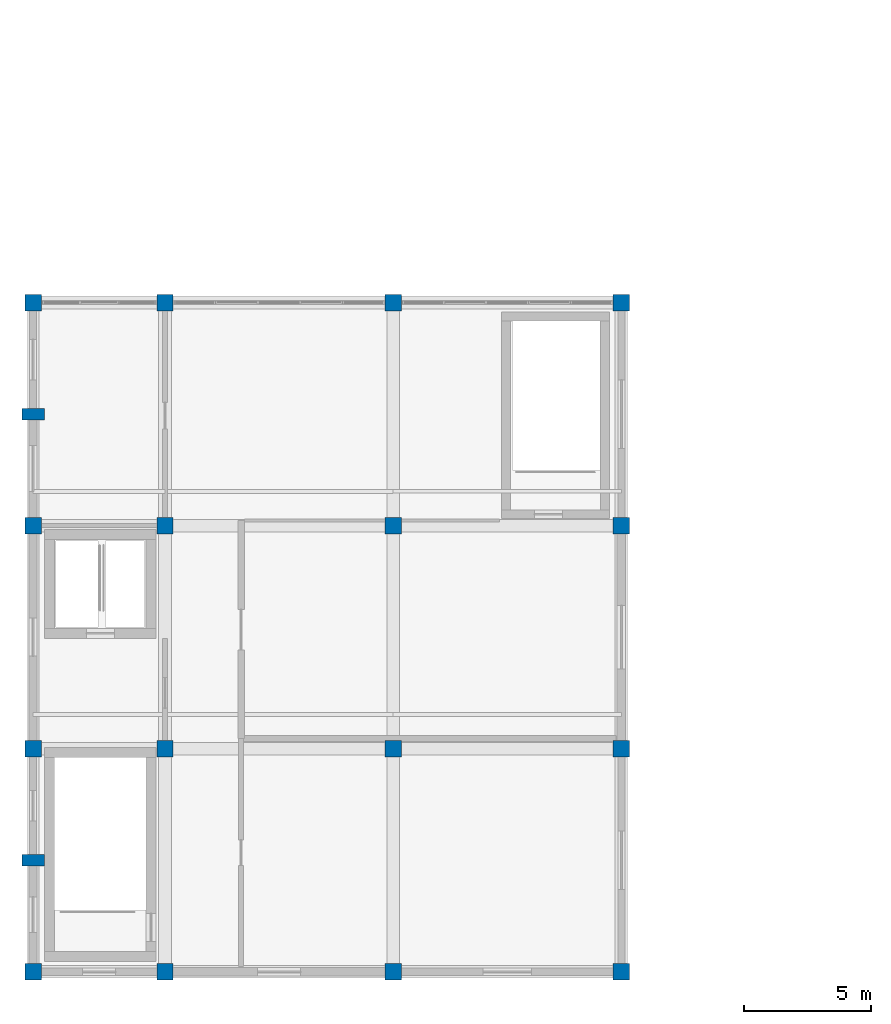
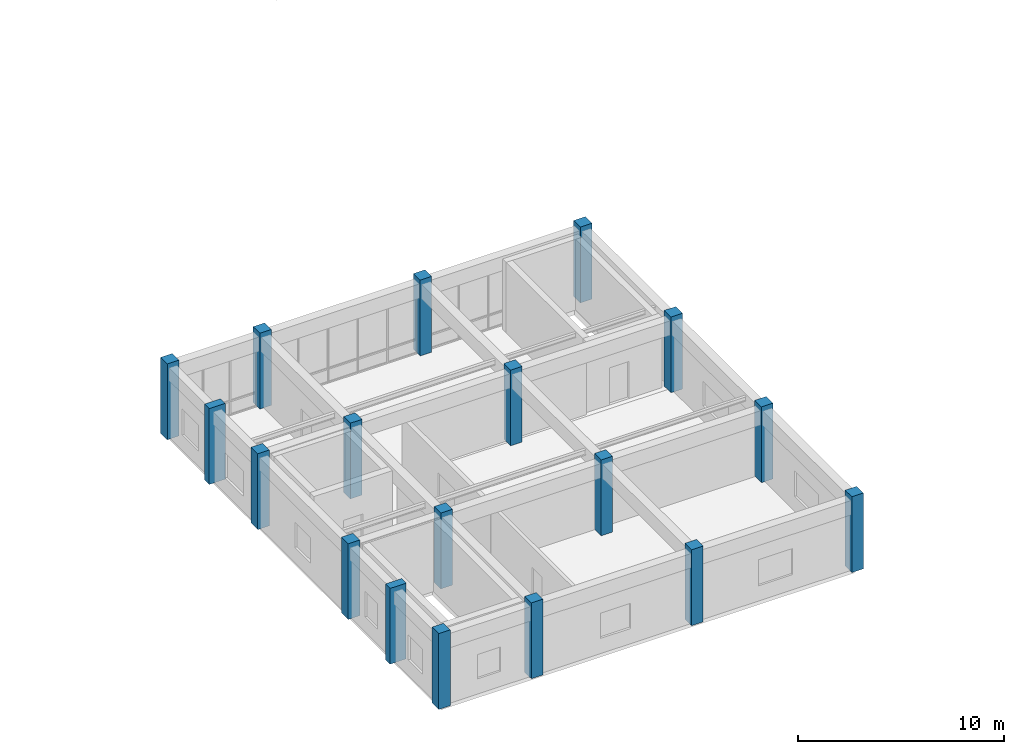
# One storey, part 1 of 55: 18 columns.
"""IFC4 building model written with IfcOpenShell, lengths in metres."""

from ifc_helpers import new_model, si_unit, direction, frame, origin, origin_2d, place, context, subcontext, project, spatial, rectangle, extrude, material, material_profile, profile_set, type_object, element, save


model = new_model("IFC4")

# Units and contexts
model_context = context("Model", 3, precision=1e-05, world=origin(), true_north=direction((0.0, 1.0)))
body_context = subcontext(model_context, "Body", "Model", "MODEL_VIEW")
ifc_project = project(units=[si_unit("LENGTHUNIT", "METRE"), si_unit("AREAUNIT", "SQUARE_METRE"), si_unit("VOLUMEUNIT", "CUBIC_METRE"), si_unit("PLANEANGLEUNIT", "RADIAN"), si_unit("MASSUNIT", "GRAM", prefix="KILO")], contexts=[model_context])

# Site, building, storey
site_placement = place(None, origin())
site = spatial("IfcSite", under=ifc_project, at=site_placement, CompositionType="ELEMENT")
building_placement = place(site_placement, origin())
building = spatial("IfcBuilding", under=site, at=building_placement, Name="Ventoquebrada Cableway Terminal", CompositionType="ELEMENT")
storey_placement = place(building_placement, frame((0.0, 0.0, 14.39990234375)))
storey = spatial("IfcBuildingStorey", under=building, at=storey_placement, Name="L03", CompositionType="ELEMENT", Elevation=14.39990234375)

# Columns
ifc_material = material(Name="Concrete C40/50", Category="concrete")
ifc_material_profile_1 = material_profile(ifc_material, rectangle(XDim=0.64990234375, YDim=0.64990234375, at=origin_2d()), Name="RC-COL-650X650")
ifc_profile_set_1 = profile_set([ifc_material_profile_1], Name="Concrete C40/50")
column_type_1 = type_object("IfcColumnType", Name="COL-RC03", PredefinedType="COLUMN", material=ifc_profile_set_1)
for number, where, z_axis, x_axis, name in (
    (1, (3.0, 11.800048828125, 0.0), (0.0, 0.0, 1.0), (1.0, 0.0, 0.0), "Structural column FC-0008"),
    (2, (3.0, 20.60009765625, 0.0), (0.0, 0.0, 1.0), (1.0, 0.0, 0.0), "Structural column FC-0013"),
    (3, (3.0, 29.39990234375, 0.0), (0.0, 0.0, 1.0), (1.0, 0.0, 0.0), "Structural column FC-0018"),
    (4, (3.0, 38.199951171875, 0.0), (0.0, 0.0, 1.0), (1.0, 0.0, 0.0), "Structural column FC-0023"),
    (5, (8.199951171875, 11.800048828125, 0.0), (0.0, 0.0, 1.0), (1.0, 0.0, 0.0), "Structural column FC-0036"),
    (6, (8.199951171875, 20.60009765625, 0.0), (0.0, 0.0, 1.0), (1.0, 0.0, 0.0), "Structural column FC-0041"),
    (7, (8.199951171875, 29.39990234375, 0.0), (0.0, 0.0, 1.0), (1.0, 0.0, 0.0), "Structural column FC-0046"),
    (8, (8.199951171875, 38.199951171875, 0.0), (0.0, 0.0, 1.0), (1.0, 0.0, 0.0), "Structural column FC-0051"),
    (9, (17.199951171875, 11.800048828125, 0.0), (0.0, 0.0, 1.0), (1.0, 0.0, 0.0), "Structural column FC-0064"),
    (10, (17.199951171875, 20.60009765625, 0.0), (0.0, 0.0, 1.0), (1.0, 0.0, 0.0), "Structural column FC-0069"),
    (11, (17.199951171875, 29.39990234375, 0.0), (0.0, 0.0, 1.0), (1.0, 0.0, 0.0), "Structural column FC-0074"),
    (12, (17.199951171875, 38.199951171875, 0.0), (0.0, 0.0, 1.0), (1.0, 0.0, 0.0), "Structural column FC-0079"),
    (13, (26.199951171875, 11.800048828125, 0.0), (0.0, 0.0, 1.0), (1.0, 0.0, 0.0), "Structural column FC-0092"),
    (14, (26.199951171875, 20.60009765625, 0.0), (0.0, 0.0, 1.0), (1.0, 0.0, 0.0), "Structural column FC-0097"),
    (15, (26.199951171875, 29.39990234375, 0.0), (0.0, 0.0, 1.0), (1.0, 0.0, 0.0), "Structural column FC-0102"),
    (16, (26.199951171875, 38.199951171875, 0.0), (0.0, 0.0, 1.0), (1.0, 0.0, 0.0), "Structural column FC-0107"),
):
    element("IfcColumn", number, at=place(storey_placement, frame(where, z_axis=z_axis, x_axis=x_axis)), inside=storey, type_object=column_type_1, Name=name, PredefinedType="COLUMN", context=body_context, shape_type="SweptSolid", body=[
        extrude(rectangle(XDim=0.64990234375, YDim=0.64990234375, at=origin_2d()), origin(), (0.0, 0.0, 1.0), 4.5),
    ])
ifc_material_profile_2 = material_profile(ifc_material, rectangle(XDim=0.449951171875, YDim=0.89990234375, at=origin_2d()), Name="RC-PIL-450X900")
ifc_profile_set_2 = profile_set([ifc_material_profile_2], Name="Concrete C40/50")
column_type_2 = type_object("IfcColumnType", Name="PIL-RC02", PredefinedType="PILASTER", material=ifc_profile_set_2)
for number, where, z_axis, x_axis, name in (
    (17, (3.0, 16.199951171875, 0.0), (0.0, 0.0, 1.0), (0.0, 1.0, 0.0), "Facade pilaster FPL-0155"),
    (18, (3.0, 33.800048828125, 0.0), (0.0, 0.0, 1.0), (0.0, 1.0, 0.0), "Facade pilaster FPL-0160"),
):
    element("IfcColumn", number, at=place(storey_placement, frame(where, z_axis=z_axis, x_axis=x_axis)), inside=storey, type_object=column_type_2, Name=name, PredefinedType="PILASTER", context=body_context, shape_type="SweptSolid", body=[
        extrude(rectangle(XDim=0.449951171875, YDim=0.89990234375, at=origin_2d()), origin(), (0.0, 0.0, 1.0), 4.5),
    ])

save(model, "model.ifc")
